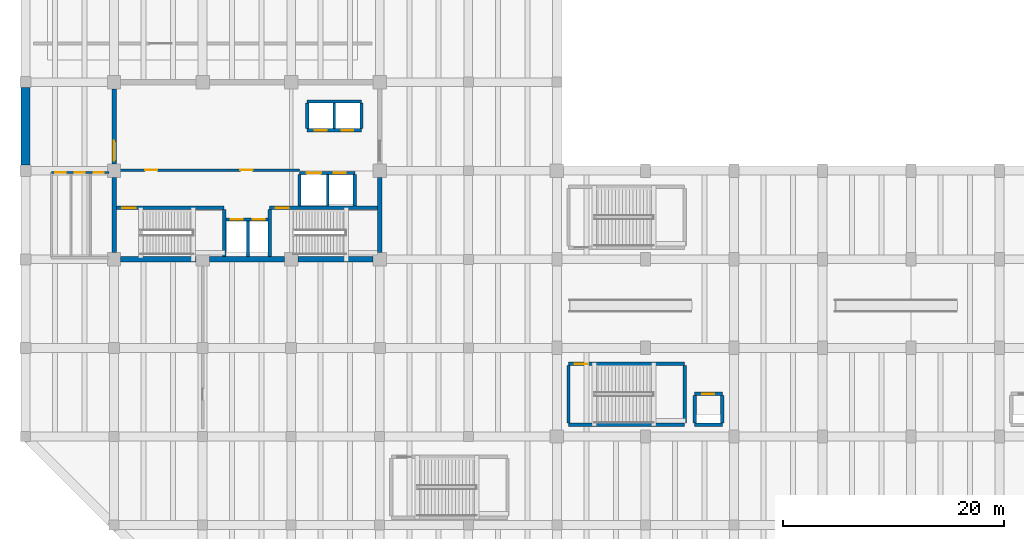
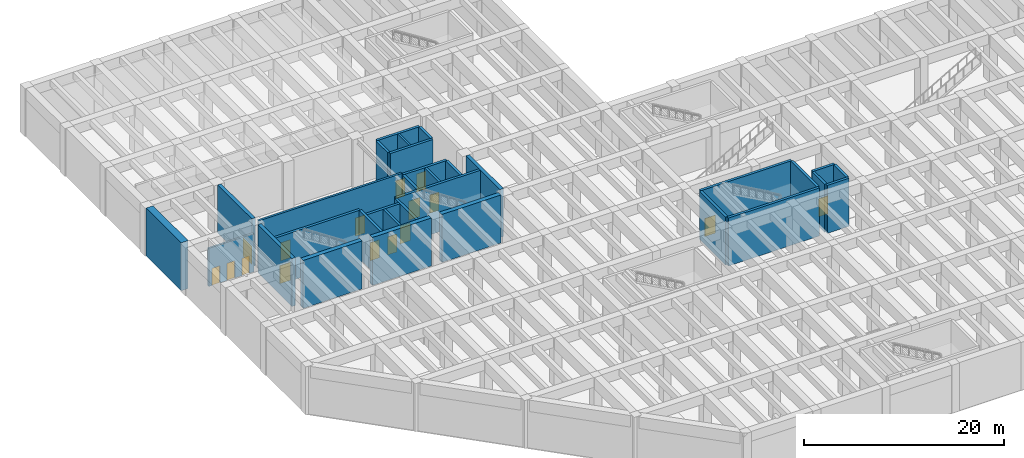
# One storey, part 8 of 24: 32 walls, 16 doors, 16 openings.
"""IFC4 building model written with IfcOpenShell, lengths in metres."""

from ifc_helpers import new_model, si_unit, direction, frame, frame_2d, origin, place, context, subcontext, project, spatial, rectangle, extrude, material, layer, layer_set, type_object, element, fill, save


model = new_model("IFC4")

# Units and contexts
model_context = context("Model", 3, precision=1e-05, world=origin(), true_north=direction((0.0, 1.0)))
body_context = subcontext(model_context, "Body", "Model", "MODEL_VIEW")
ifc_project = project(units=[si_unit("LENGTHUNIT", "METRE"), si_unit("AREAUNIT", "SQUARE_METRE"), si_unit("VOLUMEUNIT", "CUBIC_METRE"), si_unit("PLANEANGLEUNIT", "RADIAN"), si_unit("MASSUNIT", "GRAM", prefix="KILO")], contexts=[model_context])

# Site, building, storey
site_placement = place(None, origin())
site = spatial("IfcSite", under=ifc_project, at=site_placement, CompositionType="ELEMENT")
building_placement = place(site_placement, origin())
building = spatial("IfcBuilding", under=site, at=building_placement, Name="Varnela Railside Interchange", CompositionType="ELEMENT")
storey_placement = place(building_placement, frame((0.0, 0.0, -6.300048828125)))
storey = spatial("IfcBuildingStorey", under=building, at=storey_placement, Name="B1", CompositionType="ELEMENT", Elevation=-6.300048828125)

# Wall
ifc_material_1 = material(Name="Concrete C50", Category="concrete")
ifc_layer_1 = layer(ifc_material_1, 0.39990234375)
ifc_layer_set_1 = layer_set([ifc_layer_1], Name="Concrete C50")
wall_type_1 = type_object("IfcWallType", Name="Core Coupling Shear Wall SW-02", PredefinedType="SHEAR", material=ifc_layer_set_1)
wall_1_placement = place(storey_placement, frame((12.0, 54.60009765625, 0.0), z_axis=(0.0, 0.0, 1.0), x_axis=(0.0, 1.0, 0.0)))
element("IfcWall", 1, at=wall_1_placement, inside=storey, type_object=wall_type_1, Name="Core Coupling Shear Wall SW-02 (B1) (WL-0177)", PredefinedType="SHEAR", context=body_context, shape_type="SweptSolid", body=[
    extrude(rectangle(XDim=6.7998046875, YDim=0.39990234375, at=frame_2d((3.39990234375, 0.0))), origin(), (0.0, 0.0, 1.0), 5.85009765625),
])

# Wall, opening, door
wall_2_placement = place(storey_placement, frame((12.0, 62.60009765625, 0.0), z_axis=(0.0, 0.0, 1.0), x_axis=(0.0, 1.0, 0.0)))
wall_2 = element("IfcWall", 2, at=wall_2_placement, inside=storey, type_object=wall_type_1, Name="Core Coupling Shear Wall SW-02 (B1) (WL-0178)", PredefinedType="SHEAR", context=body_context, shape_type="SweptSolid", body=[
    extrude(rectangle(XDim=6.7998046875, YDim=0.39990234375, at=frame_2d((3.39990234375, 0.0))), origin(), (0.0, 0.0, 1.0), 5.85009765625),
])
opening_1_placement = place(wall_2_placement, frame((0.300048828125, 0.0, 0.0)))
opening_1 = element("IfcOpeningElement", 3, at=opening_1_placement, cuts=wall_2, Name="Opening D-127", PredefinedType="OPENING", context=body_context, shape_type="SweptSolid", body=[
    extrude(rectangle(XDim=1.800048828125, YDim=2.199951171875, at=frame_2d((0.89990234375, 1.10009765625))), frame((0.0, 0.2099609375, 0.0), z_axis=(0.0, -1.0, 0.0), x_axis=(1.0, 0.0, 0.0)), (0.0, 0.0, 1.0), 0.419921875),
])
ifc_material_2 = material(Name="Steel AR 350 (350 MPa)", Category="steel")
door_type_1 = type_object("IfcDoorType", Name="DR-DBL-1800-FD60", OperationType="DOUBLE_DOOR_SINGLE_SWING", PredefinedType="DOOR", material=ifc_material_2)
door_1_placement = place(opening_1_placement, frame((1.800048828125, 0.0, 0.0), z_axis=(0.0, 0.0, 1.0), x_axis=(-1.0, 0.0, 0.0)))
door_1 = element("IfcDoor", 4, at=door_1_placement, inside=storey, type_object=door_type_1, Name="Door D-127", OperationType="DOUBLE_DOOR_SINGLE_SWING", OverallHeight=2.199951171875, OverallWidth=1.800048828125, PredefinedType="DOOR", context=body_context, shape_type="SweptSolid", body=[
    extrude(rectangle(XDim=1.800048828125, YDim=2.199951171875, at=frame_2d((0.89990234375, 1.10009765625))), frame((0.0, 0.02490234375, 0.0), z_axis=(0.0, -1.0, 0.0), x_axis=(1.0, 0.0, 0.0)), (0.0, 0.0, 1.0), 0.050048828125),
])
fill(opening_1, door_1)

# Walls
wall_3_placement = place(storey_placement, frame((36.0, 54.60009765625, 0.0), z_axis=(0.0, 0.0, 1.0), x_axis=(0.0, 1.0, 0.0)))
element("IfcWall", 5, at=wall_3_placement, inside=storey, type_object=wall_type_1, Name="Core Coupling Shear Wall SW-02 (B1) (WL-0153)", PredefinedType="SHEAR", context=body_context, shape_type="SweptSolid", body=[
    extrude(rectangle(XDim=6.7998046875, YDim=0.39990234375, at=frame_2d((3.39990234375, 0.0))), origin(), (0.0, 0.0, 1.0), 5.85009765625),
])
ifc_layer_2 = layer(ifc_material_1, 0.5)
ifc_layer_set_2 = layer_set([ifc_layer_2], Name="Concrete C50")
wall_type_2 = type_object("IfcWallType", Name="Core Primary Shear Wall SW-01", PredefinedType="SHEAR", material=ifc_layer_set_2)
for number, where, z_axis, x_axis, name in (
    (6, (12.60009765625, 54.0, 0.0), (0.0, 0.0, 1.0), (1.0, 0.0, 0.0), "Core Primary Shear Wall SW-01 (B1) (WL-0170)"),
    (7, (20.60009765625, 54.0, 0.0), (0.0, 0.0, 1.0), (1.0, 0.0, 0.0), "Core Primary Shear Wall SW-01 (B1) (WL-0171)"),
    (8, (28.60009765625, 54.0, 0.0), (0.0, 0.0, 1.0), (1.0, 0.0, 0.0), "Core Primary Shear Wall SW-01 (B1) (WL-0172)"),
):
    element("IfcWall", number, at=place(storey_placement, frame(where, z_axis=z_axis, x_axis=x_axis)), inside=storey, type_object=wall_type_2, Name=name, PredefinedType="SHEAR", context=body_context, shape_type="SweptSolid", body=[
        extrude(rectangle(XDim=6.7998046875, YDim=0.5, at=frame_2d((3.39990234375, 0.0))), origin(), (0.0, 0.0, 1.0), 5.85009765625),
    ])

# Wall, openings, doors
ifc_material_3 = material(Name="Masonry concrete block", Category="masonry")
ifc_layer_3 = layer(ifc_material_3, 0.2099609375)
ifc_layer_set_3 = layer_set([ifc_layer_3], Name="Masonry concrete block")
wall_type_3 = type_object("IfcWallType", Name="Sanitary Plumbing Chase Wall IW-04", PredefinedType="PLUMBINGWALL", material=ifc_layer_set_3)
wall_4_placement = place(storey_placement, frame((6.35009765625, 61.85009765625, 0.0), z_axis=(0.0, 0.0, 1.0), x_axis=(1.0, 0.0, 0.0)))
wall_4 = element("IfcWall", 9, at=wall_4_placement, inside=storey, type_object=wall_type_3, Name="Sanitary Plumbing Chase Wall IW-04 (B1) (WL-0247)", PredefinedType="PLUMBINGWALL", context=body_context, shape_type="SweptSolid", body=[
    extrude(rectangle(XDim=5.199951171875, YDim=0.2099609375, at=frame_2d((2.60009765625, 0.0))), origin(), (0.0, 0.0, 1.0), 4.650146484375),
])
opening_2_placement = place(wall_4_placement, frame((0.35009765625, 0.0, 0.0)))
opening_2 = element("IfcOpeningElement", 10, at=opening_2_placement, cuts=wall_4, Name="Opening D-141", PredefinedType="OPENING", context=body_context, shape_type="SweptSolid", body=[
    extrude(rectangle(XDim=0.949951171875, YDim=2.10009765625, at=frame_2d((0.47509765625, 1.050048828125))), frame((0.0, 0.114990234375, 0.0), z_axis=(0.0, -1.0, 0.0), x_axis=(1.0, 0.0, 0.0)), (0.0, 0.0, 1.0), 0.22998046875),
])
opening_3_placement = place(wall_4_placement, frame((2.10009765625, 0.0, 0.0)))
opening_3 = element("IfcOpeningElement", 11, at=opening_3_placement, cuts=wall_4, Name="Opening D-142", PredefinedType="OPENING", context=body_context, shape_type="SweptSolid", body=[
    extrude(rectangle(XDim=0.89990234375, YDim=2.10009765625, at=frame_2d((0.449951171875, 1.050048828125))), frame((0.0, 0.114990234375, 0.0), z_axis=(0.0, -1.0, 0.0), x_axis=(1.0, 0.0, 0.0)), (0.0, 0.0, 1.0), 0.22998046875),
])
opening_4_placement = place(wall_4_placement, frame((3.800048828125, 0.0, 0.0)))
opening_4 = element("IfcOpeningElement", 12, at=opening_4_placement, cuts=wall_4, Name="Opening D-143", PredefinedType="OPENING", context=body_context, shape_type="SweptSolid", body=[
    extrude(rectangle(XDim=0.89990234375, YDim=2.10009765625, at=frame_2d((0.449951171875, 1.050048828125))), frame((0.0, 0.114990234375, 0.0), z_axis=(0.0, -1.0, 0.0), x_axis=(1.0, 0.0, 0.0)), (0.0, 0.0, 1.0), 0.22998046875),
])
ifc_material_4 = material(Name="Timber solid core", Category="wood")
door_type_2 = type_object("IfcDoorType", Name="DR-SGL-900", OperationType="NOTDEFINED", PredefinedType="DOOR", material=ifc_material_4)
door_2_placement = place(opening_3_placement, origin())
door_2 = element("IfcDoor", 13, at=door_2_placement, inside=storey, type_object=door_type_2, Name="Door D-142", OperationType="SINGLE_SWING_RIGHT", OverallHeight=2.10009765625, OverallWidth=0.89990234375, PredefinedType="DOOR", context=body_context, shape_type="SweptSolid", body=[
    extrude(rectangle(XDim=0.89990234375, YDim=2.10009765625, at=frame_2d((0.449951171875, 1.050048828125))), frame((0.0, 0.02490234375, 0.0), z_axis=(0.0, -1.0, 0.0), x_axis=(1.0, 0.0, 0.0)), (0.0, 0.0, 1.0), 0.050048828125),
])
fill(opening_3, door_2)
door_3_placement = place(opening_4_placement, origin())
door_3 = element("IfcDoor", 14, at=door_3_placement, inside=storey, type_object=door_type_2, Name="Door D-143", OperationType="SINGLE_SWING_LEFT", OverallHeight=2.10009765625, OverallWidth=0.89990234375, PredefinedType="DOOR", context=body_context, shape_type="SweptSolid", body=[
    extrude(rectangle(XDim=0.89990234375, YDim=2.10009765625, at=frame_2d((0.449951171875, 1.050048828125))), frame((0.0, 0.02490234375, 0.0), z_axis=(0.0, -1.0, 0.0), x_axis=(1.0, 0.0, 0.0)), (0.0, 0.0, 1.0), 0.050048828125),
])
fill(opening_4, door_3)
door_type_3 = type_object("IfcDoorType", Name="DR-SGL-950-ACC", OperationType="NOTDEFINED", PredefinedType="DOOR", material=ifc_material_4)
door_4_placement = place(opening_2_placement, origin())
door_4 = element("IfcDoor", 15, at=door_4_placement, inside=storey, type_object=door_type_3, Name="Door D-141", OperationType="SINGLE_SWING_LEFT", OverallHeight=2.10009765625, OverallWidth=0.949951171875, PredefinedType="DOOR", context=body_context, shape_type="SweptSolid", body=[
    extrude(rectangle(XDim=0.949951171875, YDim=2.10009765625, at=frame_2d((0.47509765625, 1.050048828125))), frame((0.0, 0.02490234375, 0.0), z_axis=(0.0, -1.0, 0.0), x_axis=(1.0, 0.0, 0.0)), (0.0, 0.0, 1.0), 0.050048828125),
])
fill(opening_2, door_4)

# Wall, opening, door
ifc_layer_4 = layer(ifc_material_1, 0.300048828125)
ifc_layer_set_4 = layer_set([ifc_layer_4], Name="Concrete C50")
wall_type_4 = type_object("IfcWallType", Name="Stair & Lift Shaft Wall SW-03", PredefinedType="SHEAR", material=ifc_layer_set_4)
wall_5_placement = place(storey_placement, frame((12.199951171875, 58.64990234375, 0.0), z_axis=(0.0, 0.0, 1.0), x_axis=(1.0, 0.0, 0.0)))
wall_5 = element("IfcWall", 16, at=wall_5_placement, inside=storey, type_object=wall_type_4, Name="Stair & Lift Shaft Wall SW-03 (B1) (WL-0174)", PredefinedType="SHEAR", context=body_context, shape_type="SweptSolid", body=[
    extrude(rectangle(XDim=9.75, YDim=0.300048828125, at=frame_2d((4.875, 0.0))), origin(), (0.0, 0.0, 1.0), 5.85009765625),
])
opening_5_placement = place(wall_5_placement, frame((0.550048828125, 0.0, 0.0)))
opening_5 = element("IfcOpeningElement", 17, at=opening_5_placement, cuts=wall_5, Name="Opening D-123", PredefinedType="OPENING", context=body_context, shape_type="SweptSolid", body=[
    extrude(rectangle(XDim=1.199951171875, YDim=2.199951171875, at=frame_2d((0.60009765625, 1.10009765625))), frame((0.0, 0.159912109375, 0.0), z_axis=(0.0, -1.0, 0.0), x_axis=(1.0, 0.0, 0.0)), (0.0, 0.0, 1.0), 0.320068359375),
])
door_type_4 = type_object("IfcDoorType", Name="DR-SGL-1200-FD90", OperationType="NOTDEFINED", PredefinedType="DOOR", material=ifc_material_2)
door_5_placement = place(opening_5_placement, frame((1.199951171875, 0.0, 0.0), z_axis=(0.0, 0.0, 1.0), x_axis=(-1.0, 0.0, 0.0)))
door_5 = element("IfcDoor", 18, at=door_5_placement, inside=storey, type_object=door_type_4, Name="Door D-123", OperationType="SINGLE_SWING_LEFT", OverallHeight=2.199951171875, OverallWidth=1.199951171875, PredefinedType="DOOR", context=body_context, shape_type="SweptSolid", body=[
    extrude(rectangle(XDim=1.199951171875, YDim=2.199951171875, at=frame_2d((0.60009765625, 1.10009765625))), frame((0.0, 0.02490234375, 0.0), z_axis=(0.0, -1.0, 0.0), x_axis=(1.0, 0.0, 0.0)), (0.0, 0.0, 1.0), 0.050048828125),
])
fill(opening_5, door_5)

# Wall
wall_6_placement = place(storey_placement, frame((21.949951171875, 54.25, 0.0), z_axis=(0.0, 0.0, 1.0), x_axis=(0.0, 1.0, 0.0)))
element("IfcWall", 19, at=wall_6_placement, inside=storey, type_object=wall_type_4, Name="Stair & Lift Shaft Wall SW-03 (B1) (WL-0173)", PredefinedType="SHEAR", context=body_context, shape_type="SweptSolid", body=[
    extrude(rectangle(XDim=4.25, YDim=0.300048828125, at=frame_2d((2.125, 0.0))), origin(), (0.0, 0.0, 1.0), 5.85009765625),
])

# Wall, opening, door
wall_7_placement = place(storey_placement, frame((26.050048828125, 58.64990234375, 0.0), z_axis=(0.0, 0.0, 1.0), x_axis=(1.0, 0.0, 0.0)))
wall_7 = element("IfcWall", 20, at=wall_7_placement, inside=storey, type_object=wall_type_4, Name="Stair & Lift Shaft Wall SW-03 (B1) (WL-0175)", PredefinedType="SHEAR", context=body_context, shape_type="SweptSolid", body=[
    extrude(rectangle(XDim=9.75, YDim=0.300048828125, at=frame_2d((4.875, 0.0))), origin(), (0.0, 0.0, 1.0), 5.85009765625),
])
opening_6_placement = place(wall_7_placement, frame((0.550048828125, 0.0, 0.0)))
opening_6 = element("IfcOpeningElement", 21, at=opening_6_placement, cuts=wall_7, Name="Opening D-124", PredefinedType="OPENING", context=body_context, shape_type="SweptSolid", body=[
    extrude(rectangle(XDim=1.199951171875, YDim=2.199951171875, at=frame_2d((0.60009765625, 1.10009765625))), frame((0.0, 0.159912109375, 0.0), z_axis=(0.0, -1.0, 0.0), x_axis=(1.0, 0.0, 0.0)), (0.0, 0.0, 1.0), 0.320068359375),
])
door_6_placement = place(opening_6_placement, frame((1.199951171875, 0.0, 0.0), z_axis=(0.0, 0.0, 1.0), x_axis=(-1.0, 0.0, 0.0)))
door_6 = element("IfcDoor", 22, at=door_6_placement, inside=storey, type_object=door_type_4, Name="Door D-124", OperationType="SINGLE_SWING_RIGHT", OverallHeight=2.199951171875, OverallWidth=1.199951171875, PredefinedType="DOOR", context=body_context, shape_type="SweptSolid", body=[
    extrude(rectangle(XDim=1.199951171875, YDim=2.199951171875, at=frame_2d((0.60009765625, 1.10009765625))), frame((0.0, 0.02490234375, 0.0), z_axis=(0.0, -1.0, 0.0), x_axis=(1.0, 0.0, 0.0)), (0.0, 0.0, 1.0), 0.050048828125),
])
fill(opening_6, door_6)

# Wall
wall_8_placement = place(storey_placement, frame((26.050048828125, 54.25, 0.0), z_axis=(0.0, 0.0, 1.0), x_axis=(0.0, 1.0, 0.0)))
element("IfcWall", 23, at=wall_8_placement, inside=storey, type_object=wall_type_4, Name="Stair & Lift Shaft Wall SW-03 (B1) (WL-0176)", PredefinedType="SHEAR", context=body_context, shape_type="SweptSolid", body=[
    extrude(rectangle(XDim=4.25, YDim=0.300048828125, at=frame_2d((2.125, 0.0))), origin(), (0.0, 0.0, 1.0), 5.85009765625),
])

# Wall, openings, doors
wall_9_placement = place(storey_placement, frame((22.10009765625, 57.60009765625, 0.0), z_axis=(0.0, 0.0, 1.0), x_axis=(1.0, 0.0, 0.0)))
wall_9 = element("IfcWall", 24, at=wall_9_placement, inside=storey, type_object=wall_type_4, Name="Stair & Lift Shaft Wall SW-03 (B1) (WL-0157)", PredefinedType="SHEAR", context=body_context, shape_type="SweptSolid", body=[
    extrude(rectangle(XDim=3.949951171875, YDim=0.300048828125, at=frame_2d((1.97509765625, 0.0))), origin(), (0.0, 0.0, 1.0), 5.85009765625),
])
opening_7_placement = place(wall_9_placement, frame((0.449951171875, 0.0, 0.0)))
opening_7 = element("IfcOpeningElement", 25, at=opening_7_placement, cuts=wall_9, Name="Opening LD-010", PredefinedType="OPENING", context=body_context, shape_type="SweptSolid", body=[
    extrude(rectangle(XDim=1.080078125, YDim=2.199951171875, at=frame_2d((0.5400390625, 1.10009765625))), frame((0.0, 0.159912109375, 0.0), z_axis=(0.0, -1.0, 0.0), x_axis=(1.0, 0.0, 0.0)), (0.0, 0.0, 1.0), 0.320068359375),
])
opening_8_placement = place(wall_9_placement, frame((2.449951171875, 0.0, 0.0)))
opening_8 = element("IfcOpeningElement", 26, at=opening_8_placement, cuts=wall_9, Name="Opening LD-011", PredefinedType="OPENING", context=body_context, shape_type="SweptSolid", body=[
    extrude(rectangle(XDim=1.080078125, YDim=2.199951171875, at=frame_2d((0.5400390625, 1.10009765625))), frame((0.0, 0.159912109375, 0.0), z_axis=(0.0, -1.0, 0.0), x_axis=(1.0, 0.0, 0.0)), (0.0, 0.0, 1.0), 0.320068359375),
])
door_type_5 = type_object("IfcDoorType", Name="DR-LIFT-1080", OperationType="SLIDING_TO_LEFT", PredefinedType="DOOR", material=ifc_material_2)
door_7_placement = place(opening_7_placement, origin())
door_7 = element("IfcDoor", 27, at=door_7_placement, inside=storey, type_object=door_type_5, Name="Door LD-010", OperationType="SLIDING_TO_LEFT", OverallHeight=2.199951171875, OverallWidth=1.080078125, PredefinedType="DOOR", context=body_context, shape_type="SweptSolid", body=[
    extrude(rectangle(XDim=1.080078125, YDim=2.199951171875, at=frame_2d((0.5400390625, 1.10009765625))), frame((0.0, 0.02490234375, 0.0), z_axis=(0.0, -1.0, 0.0), x_axis=(1.0, 0.0, 0.0)), (0.0, 0.0, 1.0), 0.050048828125),
])
fill(opening_7, door_7)
door_8_placement = place(opening_8_placement, origin())
door_8 = element("IfcDoor", 28, at=door_8_placement, inside=storey, type_object=door_type_5, Name="Door LD-011", OperationType="SLIDING_TO_LEFT", OverallHeight=2.199951171875, OverallWidth=1.080078125, PredefinedType="DOOR", context=body_context, shape_type="SweptSolid", body=[
    extrude(rectangle(XDim=1.080078125, YDim=2.199951171875, at=frame_2d((0.5400390625, 1.10009765625))), frame((0.0, 0.02490234375, 0.0), z_axis=(0.0, -1.0, 0.0), x_axis=(1.0, 0.0, 0.0)), (0.0, 0.0, 1.0), 0.050048828125),
])
fill(opening_8, door_8)

# Wall
wall_10_placement = place(storey_placement, frame((24.10009765625, 54.25, 0.0), z_axis=(0.0, 0.0, 1.0), x_axis=(0.0, 1.0, 0.0)))
element("IfcWall", 29, at=wall_10_placement, inside=storey, type_object=wall_type_4, Name="Stair & Lift Shaft Wall SW-03 (B1) (WL-0156)", PredefinedType="SHEAR", context=body_context, shape_type="SweptSolid", body=[
    extrude(rectangle(XDim=3.199951171875, YDim=0.25, at=frame_2d((1.60009765625, 0.0))), origin(), (0.0, 0.0, 1.0), 5.85009765625),
])

# Wall, openings, doors
wall_11_placement = place(storey_placement, frame((28.75, 61.800048828125, 0.0), z_axis=(0.0, 0.0, 1.0), x_axis=(1.0, 0.0, 0.0)))
wall_11 = element("IfcWall", 30, at=wall_11_placement, inside=storey, type_object=wall_type_4, Name="Stair & Lift Shaft Wall SW-03 (B1) (WL-0160)", PredefinedType="SHEAR", context=body_context, shape_type="SweptSolid", body=[
    extrude(rectangle(XDim=5.0, YDim=0.300048828125, at=frame_2d((2.5, 0.0))), origin(), (0.0, 0.0, 1.0), 5.85009765625),
])
opening_9_placement = place(wall_11_placement, frame((0.64990234375, 0.0, 0.0)))
opening_9 = element("IfcOpeningElement", 31, at=opening_9_placement, cuts=wall_11, Name="Opening LD-012", PredefinedType="OPENING", context=body_context, shape_type="SweptSolid", body=[
    extrude(rectangle(XDim=1.300048828125, YDim=2.300048828125, at=frame_2d((0.64990234375, 1.14990234375))), frame((0.0, 0.159912109375, 0.0), z_axis=(0.0, -1.0, 0.0), x_axis=(1.0, 0.0, 0.0)), (0.0, 0.0, 1.0), 0.320068359375),
])
opening_10_placement = place(wall_11_placement, frame((3.10009765625, 0.0, 0.0)))
opening_10 = element("IfcOpeningElement", 32, at=opening_10_placement, cuts=wall_11, Name="Opening LD-013", PredefinedType="OPENING", context=body_context, shape_type="SweptSolid", body=[
    extrude(rectangle(XDim=1.080078125, YDim=2.199951171875, at=frame_2d((0.5400390625, 1.10009765625))), frame((0.0, 0.159912109375, 0.0), z_axis=(0.0, -1.0, 0.0), x_axis=(1.0, 0.0, 0.0)), (0.0, 0.0, 1.0), 0.320068359375),
])
door_9_placement = place(opening_10_placement, origin())
door_9 = element("IfcDoor", 33, at=door_9_placement, inside=storey, type_object=door_type_5, Name="Door LD-013", OperationType="SLIDING_TO_LEFT", OverallHeight=2.199951171875, OverallWidth=1.080078125, PredefinedType="DOOR", context=body_context, shape_type="SweptSolid", body=[
    extrude(rectangle(XDim=1.080078125, YDim=2.199951171875, at=frame_2d((0.5400390625, 1.10009765625))), frame((0.0, 0.02490234375, 0.0), z_axis=(0.0, -1.0, 0.0), x_axis=(1.0, 0.0, 0.0)), (0.0, 0.0, 1.0), 0.050048828125),
])
fill(opening_10, door_9)
door_type_6 = type_object("IfcDoorType", Name="DR-LIFT-1300", OperationType="SLIDING_TO_LEFT", PredefinedType="DOOR", material=ifc_material_2)
door_10_placement = place(opening_9_placement, origin())
door_10 = element("IfcDoor", 34, at=door_10_placement, inside=storey, type_object=door_type_6, Name="Door LD-012", OperationType="SLIDING_TO_LEFT", OverallHeight=2.300048828125, OverallWidth=1.300048828125, PredefinedType="DOOR", context=body_context, shape_type="SweptSolid", body=[
    extrude(rectangle(XDim=1.300048828125, YDim=2.300048828125, at=frame_2d((0.64990234375, 1.14990234375))), frame((0.0, 0.02490234375, 0.0), z_axis=(0.0, -1.0, 0.0), x_axis=(1.0, 0.0, 0.0)), (0.0, 0.0, 1.0), 0.050048828125),
])
fill(opening_9, door_10)

# Walls
for number, where, z_axis, x_axis, name in (
    (35, (28.75, 58.800048828125, 0.0), (0.0, 0.0, 1.0), (0.0, 1.0, 0.0), "Stair & Lift Shaft Wall SW-03 (B1) (WL-0161)"),
    (36, (33.75, 58.800048828125, 0.0), (0.0, 0.0, 1.0), (0.0, 1.0, 0.0), "Stair & Lift Shaft Wall SW-03 (B1) (WL-0159)"),
):
    element("IfcWall", number, at=place(storey_placement, frame(where, z_axis=z_axis, x_axis=x_axis)), inside=storey, type_object=wall_type_4, Name=name, PredefinedType="SHEAR", context=body_context, shape_type="SweptSolid", body=[
        extrude(rectangle(XDim=2.849853515625, YDim=0.300048828125, at=frame_2d((1.4248046875, 0.0))), origin(), (0.0, 0.0, 1.0), 5.85009765625),
    ])
wall_12_placement = place(storey_placement, frame((31.300048828125, 58.800048828125, 0.0), z_axis=(0.0, 0.0, 1.0), x_axis=(0.0, 1.0, 0.0)))
element("IfcWall", 37, at=wall_12_placement, inside=storey, type_object=wall_type_4, Name="Stair & Lift Shaft Wall SW-03 (B1) (WL-0158)", PredefinedType="SHEAR", context=body_context, shape_type="SweptSolid", body=[
    extrude(rectangle(XDim=2.849853515625, YDim=0.25, at=frame_2d((1.4248046875, 0.0))), origin(), (0.0, 0.0, 1.0), 5.85009765625),
])

# Wall, openings, doors
wall_13_placement = place(storey_placement, frame((12.199951171875, 62.050048828125, 0.0), z_axis=(0.0, 0.0, 1.0), x_axis=(1.0, 0.0, 0.0)))
wall_13 = element("IfcWall", 38, at=wall_13_placement, inside=storey, type_object=wall_type_4, Name="Stair & Lift Shaft Wall SW-03 (B1) (WL-0155)", PredefinedType="SHEAR", context=body_context, shape_type="SweptSolid", body=[
    extrude(rectangle(XDim=16.550048828125, YDim=0.25, at=frame_2d((8.27490234375, 0.0))), origin(), (0.0, 0.0, 1.0), 5.85009765625),
])
opening_11_placement = place(wall_13_placement, frame((2.60009765625, 0.0, 0.0)))
opening_11 = element("IfcOpeningElement", 39, at=opening_11_placement, cuts=wall_13, Name="Opening D-125", PredefinedType="OPENING", context=body_context, shape_type="SweptSolid", body=[
    extrude(rectangle(XDim=1.1201171875, YDim=2.219970703125, at=frame_2d((0.56005859375, 1.10986328125))), frame((0.0, 0.135009765625, 0.0), z_axis=(0.0, -1.0, 0.0), x_axis=(1.0, 0.0, 0.0)), (0.0, 0.0, 1.0), 0.27001953125),
])
opening_12_placement = place(wall_13_placement, frame((11.199951171875, 0.0, 0.0)))
opening_12 = element("IfcOpeningElement", 40, at=opening_12_placement, cuts=wall_13, Name="Opening D-126", PredefinedType="OPENING", context=body_context, shape_type="SweptSolid", body=[
    extrude(rectangle(XDim=1.1201171875, YDim=2.219970703125, at=frame_2d((0.56005859375, 1.10986328125))), frame((0.0, 0.135009765625, 0.0), z_axis=(0.0, -1.0, 0.0), x_axis=(1.0, 0.0, 0.0)), (0.0, 0.0, 1.0), 0.27001953125),
])
door_type_7 = type_object("IfcDoorType", Name="DR-SGL-1120-FD90", OperationType="NOTDEFINED", PredefinedType="DOOR", material=ifc_material_2)
door_11_placement = place(opening_11_placement, frame((1.1201171875, 0.0, 0.0), z_axis=(0.0, 0.0, 1.0), x_axis=(-1.0, 0.0, 0.0)))
door_11 = element("IfcDoor", 41, at=door_11_placement, inside=storey, type_object=door_type_7, Name="Door D-125", OperationType="SINGLE_SWING_LEFT", OverallHeight=2.219970703125, OverallWidth=1.1201171875, PredefinedType="DOOR", context=body_context, shape_type="SweptSolid", body=[
    extrude(rectangle(XDim=1.1201171875, YDim=2.219970703125, at=frame_2d((0.56005859375, 1.10986328125))), frame((0.0, 0.02490234375, 0.0), z_axis=(0.0, -1.0, 0.0), x_axis=(1.0, 0.0, 0.0)), (0.0, 0.0, 1.0), 0.050048828125),
])
fill(opening_11, door_11)
door_12_placement = place(opening_12_placement, frame((1.1201171875, 0.0, 0.0), z_axis=(0.0, 0.0, 1.0), x_axis=(-1.0, 0.0, 0.0)))
door_12 = element("IfcDoor", 42, at=door_12_placement, inside=storey, type_object=door_type_7, Name="Door D-126", OperationType="SINGLE_SWING_RIGHT", OverallHeight=2.219970703125, OverallWidth=1.1201171875, PredefinedType="DOOR", context=body_context, shape_type="SweptSolid", body=[
    extrude(rectangle(XDim=1.1201171875, YDim=2.219970703125, at=frame_2d((0.56005859375, 1.10986328125))), frame((0.0, 0.02490234375, 0.0), z_axis=(0.0, -1.0, 0.0), x_axis=(1.0, 0.0, 0.0)), (0.0, 0.0, 1.0), 0.050048828125),
])
fill(opening_12, door_12)

wall_14_placement = place(storey_placement, frame((29.449951171875, 65.64990234375, 0.0), z_axis=(0.0, 0.0, 1.0), x_axis=(1.0, 0.0, 0.0)))
wall_14 = element("IfcWall", 43, at=wall_14_placement, inside=storey, type_object=wall_type_4, Name="Stair & Lift Shaft Wall SW-03 (B1) (WL-0165)", PredefinedType="SHEAR", context=body_context, shape_type="SweptSolid", body=[
    extrude(rectangle(XDim=4.900146484375, YDim=0.300048828125, at=frame_2d((2.4501953125, 0.0))), origin(), (0.0, 0.0, 1.0), 5.85009765625),
])
opening_13_placement = place(wall_14_placement, frame((0.699951171875, 0.0, 0.0)))
opening_13 = element("IfcOpeningElement", 44, at=opening_13_placement, cuts=wall_14, Name="Opening LD-014", PredefinedType="OPENING", context=body_context, shape_type="SweptSolid", body=[
    extrude(rectangle(XDim=1.080078125, YDim=2.199951171875, at=frame_2d((0.5400390625, 1.10009765625))), frame((0.0, 0.159912109375, 0.0), z_axis=(0.0, -1.0, 0.0), x_axis=(1.0, 0.0, 0.0)), (0.0, 0.0, 1.0), 0.320068359375),
])
opening_14_placement = place(wall_14_placement, frame((3.10009765625, 0.0, 0.0)))
opening_14 = element("IfcOpeningElement", 45, at=opening_14_placement, cuts=wall_14, Name="Opening LD-015", PredefinedType="OPENING", context=body_context, shape_type="SweptSolid", body=[
    extrude(rectangle(XDim=1.080078125, YDim=2.199951171875, at=frame_2d((0.5400390625, 1.10009765625))), frame((0.0, 0.159912109375, 0.0), z_axis=(0.0, -1.0, 0.0), x_axis=(1.0, 0.0, 0.0)), (0.0, 0.0, 1.0), 0.320068359375),
])
door_13_placement = place(opening_13_placement, origin())
door_13 = element("IfcDoor", 46, at=door_13_placement, inside=storey, type_object=door_type_5, Name="Door LD-014", OperationType="SLIDING_TO_LEFT", OverallHeight=2.199951171875, OverallWidth=1.080078125, PredefinedType="DOOR", context=body_context, shape_type="SweptSolid", body=[
    extrude(rectangle(XDim=1.080078125, YDim=2.199951171875, at=frame_2d((0.5400390625, 1.10009765625))), frame((0.0, 0.02490234375, 0.0), z_axis=(0.0, -1.0, 0.0), x_axis=(1.0, 0.0, 0.0)), (0.0, 0.0, 1.0), 0.050048828125),
])
fill(opening_13, door_13)
door_14_placement = place(opening_14_placement, origin())
door_14 = element("IfcDoor", 47, at=door_14_placement, inside=storey, type_object=door_type_5, Name="Door LD-015", OperationType="SLIDING_TO_LEFT", OverallHeight=2.199951171875, OverallWidth=1.080078125, PredefinedType="DOOR", context=body_context, shape_type="SweptSolid", body=[
    extrude(rectangle(XDim=1.080078125, YDim=2.199951171875, at=frame_2d((0.5400390625, 1.10009765625))), frame((0.0, 0.02490234375, 0.0), z_axis=(0.0, -1.0, 0.0), x_axis=(1.0, 0.0, 0.0)), (0.0, 0.0, 1.0), 0.050048828125),
])
fill(opening_14, door_14)

# Walls
wall_15_placement = place(storey_placement, frame((29.449951171875, 68.25, 0.0), z_axis=(0.0, 0.0, 1.0), x_axis=(1.0, 0.0, 0.0)))
element("IfcWall", 48, at=wall_15_placement, inside=storey, type_object=wall_type_4, Name="Stair & Lift Shaft Wall SW-03 (B1) (WL-0164)", PredefinedType="SHEAR", context=body_context, shape_type="SweptSolid", body=[
    extrude(rectangle(XDim=4.900146484375, YDim=0.300048828125, at=frame_2d((2.4501953125, 0.0))), origin(), (0.0, 0.0, 1.0), 5.85009765625),
])
for number, where, z_axis, x_axis, name in (
    (49, (29.449951171875, 65.800048828125, 0.0), (0.0, 0.0, 1.0), (0.0, 1.0, 0.0), "Stair & Lift Shaft Wall SW-03 (B1) (WL-0166)"),
    (50, (34.35009765625, 65.800048828125, 0.0), (0.0, 0.0, 1.0), (0.0, 1.0, 0.0), "Stair & Lift Shaft Wall SW-03 (B1) (WL-0163)"),
):
    element("IfcWall", number, at=place(storey_placement, frame(where, z_axis=z_axis, x_axis=x_axis)), inside=storey, type_object=wall_type_4, Name=name, PredefinedType="SHEAR", context=body_context, shape_type="SweptSolid", body=[
        extrude(rectangle(XDim=2.300048828125, YDim=0.300048828125, at=frame_2d((1.14990234375, 0.0))), origin(), (0.0, 0.0, 1.0), 5.85009765625),
    ])
wall_16_placement = place(storey_placement, frame((31.89990234375, 65.800048828125, 0.0), z_axis=(0.0, 0.0, 1.0), x_axis=(0.0, 1.0, 0.0)))
element("IfcWall", 51, at=wall_16_placement, inside=storey, type_object=wall_type_4, Name="Stair & Lift Shaft Wall SW-03 (B1) (WL-0162)", PredefinedType="SHEAR", context=body_context, shape_type="SweptSolid", body=[
    extrude(rectangle(XDim=2.300048828125, YDim=0.25, at=frame_2d((1.14990234375, 0.0))), origin(), (0.0, 0.0, 1.0), 5.85009765625),
])

# Wall, opening, door
wall_17_placement = place(storey_placement, frame((53.050048828125, 44.550048828125, 0.0), z_axis=(0.0, 0.0, 1.0), x_axis=(1.0, 0.0, 0.0)))
wall_17 = element("IfcWall", 52, at=wall_17_placement, inside=storey, type_object=wall_type_4, Name="Stair & Lift Shaft Wall SW-03 (B1) (WL-0263)", PredefinedType="SHEAR", context=body_context, shape_type="SweptSolid", body=[
    extrude(rectangle(XDim=10.5, YDim=0.300048828125, at=frame_2d((5.25, 0.0))), origin(), (0.0, 0.0, 1.0), 5.85009765625),
])
opening_15_placement = place(wall_17_placement, frame((0.550048828125, 0.0, 0.0)))
opening_15 = element("IfcOpeningElement", 53, at=opening_15_placement, cuts=wall_17, Name="Opening D-132", PredefinedType="OPENING", context=body_context, shape_type="SweptSolid", body=[
    extrude(rectangle(XDim=1.199951171875, YDim=2.199951171875, at=frame_2d((0.60009765625, 1.10009765625))), frame((0.0, 0.159912109375, 0.0), z_axis=(0.0, -1.0, 0.0), x_axis=(1.0, 0.0, 0.0)), (0.0, 0.0, 1.0), 0.320068359375),
])
door_15_placement = place(opening_15_placement, frame((1.199951171875, 0.0, 0.0), z_axis=(0.0, 0.0, 1.0), x_axis=(-1.0, 0.0, 0.0)))
door_15 = element("IfcDoor", 54, at=door_15_placement, inside=storey, type_object=door_type_4, Name="Door D-132", OperationType="SINGLE_SWING_RIGHT", OverallHeight=2.199951171875, OverallWidth=1.199951171875, PredefinedType="DOOR", context=body_context, shape_type="SweptSolid", body=[
    extrude(rectangle(XDim=1.199951171875, YDim=2.199951171875, at=frame_2d((0.60009765625, 1.10009765625))), frame((0.0, 0.02490234375, 0.0), z_axis=(0.0, -1.0, 0.0), x_axis=(1.0, 0.0, 0.0)), (0.0, 0.0, 1.0), 0.050048828125),
])
fill(opening_15, door_15)

# Walls
wall_18_placement = place(storey_placement, frame((53.050048828125, 39.050048828125, 0.0), z_axis=(0.0, 0.0, 1.0), x_axis=(1.0, 0.0, 0.0)))
element("IfcWall", 55, at=wall_18_placement, inside=storey, type_object=wall_type_4, Name="Stair & Lift Shaft Wall SW-03 (B1) (WL-0264)", PredefinedType="SHEAR", context=body_context, shape_type="SweptSolid", body=[
    extrude(rectangle(XDim=10.5, YDim=0.300048828125, at=frame_2d((5.25, 0.0))), origin(), (0.0, 0.0, 1.0), 5.85009765625),
])
for number, where, z_axis, x_axis, name in (
    (56, (53.050048828125, 39.199951171875, 0.0), (0.0, 0.0, 1.0), (0.0, 1.0, 0.0), "Stair & Lift Shaft Wall SW-03 (B1) (WL-0265)"),
    (57, (63.550048828125, 39.199951171875, 0.0), (0.0, 0.0, 1.0), (0.0, 1.0, 0.0), "Stair & Lift Shaft Wall SW-03 (B1) (WL-0262)"),
):
    element("IfcWall", number, at=place(storey_placement, frame(where, z_axis=z_axis, x_axis=x_axis)), inside=storey, type_object=wall_type_4, Name=name, PredefinedType="SHEAR", context=body_context, shape_type="SweptSolid", body=[
        extrude(rectangle(XDim=5.199951171875, YDim=0.300048828125, at=frame_2d((2.60009765625, 0.0))), origin(), (0.0, 0.0, 1.0), 5.85009765625),
    ])

# Wall, opening, door
wall_19_placement = place(storey_placement, frame((64.449951171875, 41.85009765625, 0.0), z_axis=(0.0, 0.0, 1.0), x_axis=(1.0, 0.0, 0.0)))
wall_19 = element("IfcWall", 58, at=wall_19_placement, inside=storey, type_object=wall_type_4, Name="Stair & Lift Shaft Wall SW-03 (B1) (WL-0251)", PredefinedType="SHEAR", context=body_context, shape_type="SweptSolid", body=[
    extrude(rectangle(XDim=2.5, YDim=0.300048828125, at=frame_2d((1.25, 0.0))), origin(), (0.0, 0.0, 1.0), 5.85009765625),
])
opening_16_placement = place(wall_19_placement, frame((0.699951171875, 0.0, 0.0)))
opening_16 = element("IfcOpeningElement", 59, at=opening_16_placement, cuts=wall_19, Name="Opening LD-016", PredefinedType="OPENING", context=body_context, shape_type="SweptSolid", body=[
    extrude(rectangle(XDim=1.080078125, YDim=2.199951171875, at=frame_2d((0.5400390625, 1.10009765625))), frame((0.0, 0.159912109375, 0.0), z_axis=(0.0, -1.0, 0.0), x_axis=(1.0, 0.0, 0.0)), (0.0, 0.0, 1.0), 0.320068359375),
])
door_16_placement = place(opening_16_placement, origin())
door_16 = element("IfcDoor", 60, at=door_16_placement, inside=storey, type_object=door_type_5, Name="Door LD-016", OperationType="SLIDING_TO_LEFT", OverallHeight=2.199951171875, OverallWidth=1.080078125, PredefinedType="DOOR", context=body_context, shape_type="SweptSolid", body=[
    extrude(rectangle(XDim=1.080078125, YDim=2.199951171875, at=frame_2d((0.5400390625, 1.10009765625))), frame((0.0, 0.02490234375, 0.0), z_axis=(0.0, -1.0, 0.0), x_axis=(1.0, 0.0, 0.0)), (0.0, 0.0, 1.0), 0.050048828125),
])
fill(opening_16, door_16)

# Walls
for number, where, z_axis, x_axis, name in (
    (61, (64.449951171875, 39.050048828125, 0.0), (0.0, 0.0, 1.0), (1.0, 0.0, 0.0), "Stair & Lift Shaft Wall SW-03 (B1) (WL-0252)"),
    (62, (64.449951171875, 39.199951171875, 0.0), (0.0, 0.0, 1.0), (0.0, 1.0, 0.0), "Stair & Lift Shaft Wall SW-03 (B1) (WL-0253)"),
    (63, (66.949951171875, 39.199951171875, 0.0), (0.0, 0.0, 1.0), (0.0, 1.0, 0.0), "Stair & Lift Shaft Wall SW-03 (B1) (WL-0250)"),
):
    element("IfcWall", number, at=place(storey_placement, frame(where, z_axis=z_axis, x_axis=x_axis)), inside=storey, type_object=wall_type_4, Name=name, PredefinedType="SHEAR", context=body_context, shape_type="SweptSolid", body=[
        extrude(rectangle(XDim=2.5, YDim=0.300048828125, at=frame_2d((1.25, 0.0))), origin(), (0.0, 0.0, 1.0), 5.85009765625),
    ])
ifc_material_5 = material(Name="Concrete C40", Category="concrete")
ifc_layer_5 = layer(ifc_material_5, 0.800048828125)
ifc_layer_set_5 = layer_set([ifc_layer_5], Name="Concrete C40")
wall_type_5 = type_object("IfcWallType", Name="Station Box Retaining Wall DW-02", PredefinedType="USERDEFINED", material=ifc_layer_set_5)
wall_20_placement = place(storey_placement, frame((4.0, 69.5, 0.0), z_axis=(0.0, 0.0, 1.0), x_axis=(0.0, -1.0, 0.0)))
element("IfcWall", 64, at=wall_20_placement, inside=storey, type_object=wall_type_5, Name="Station Box Retaining Wall DW-02 (B1) (WL-0237)", ObjectType="RETAININGWALL", PredefinedType="USERDEFINED", context=body_context, shape_type="SweptSolid", body=[
    extrude(rectangle(XDim=7.0, YDim=0.800048828125, at=frame_2d((3.5, 0.0))), origin(), (0.0, 0.0, 1.0), 5.85009765625),
])

save(model, "model.ifc")
